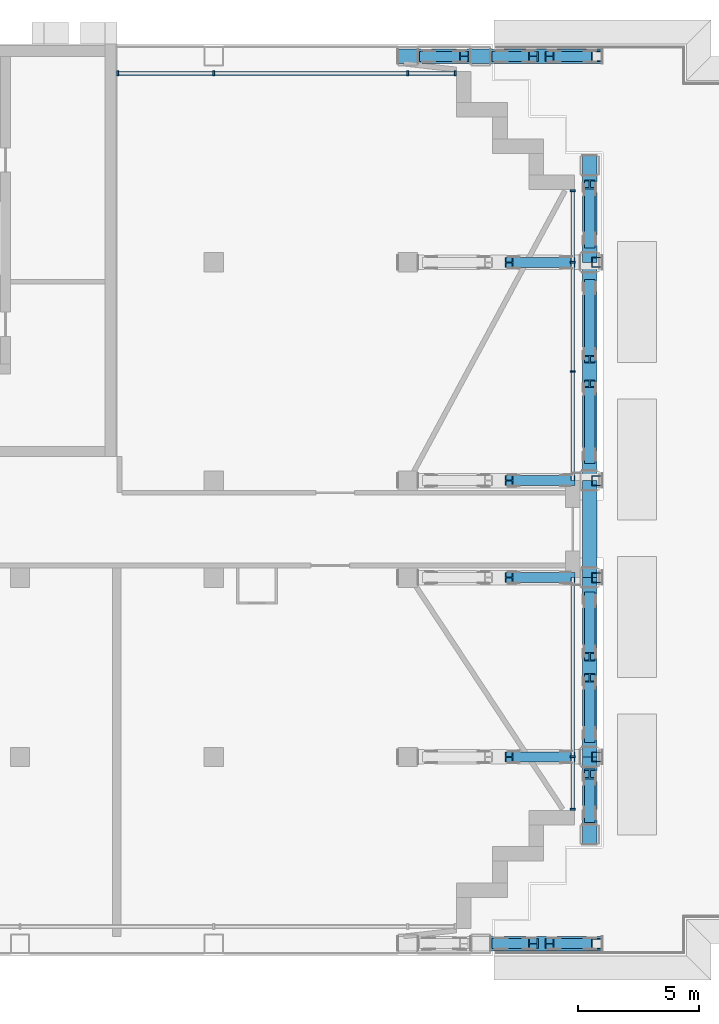
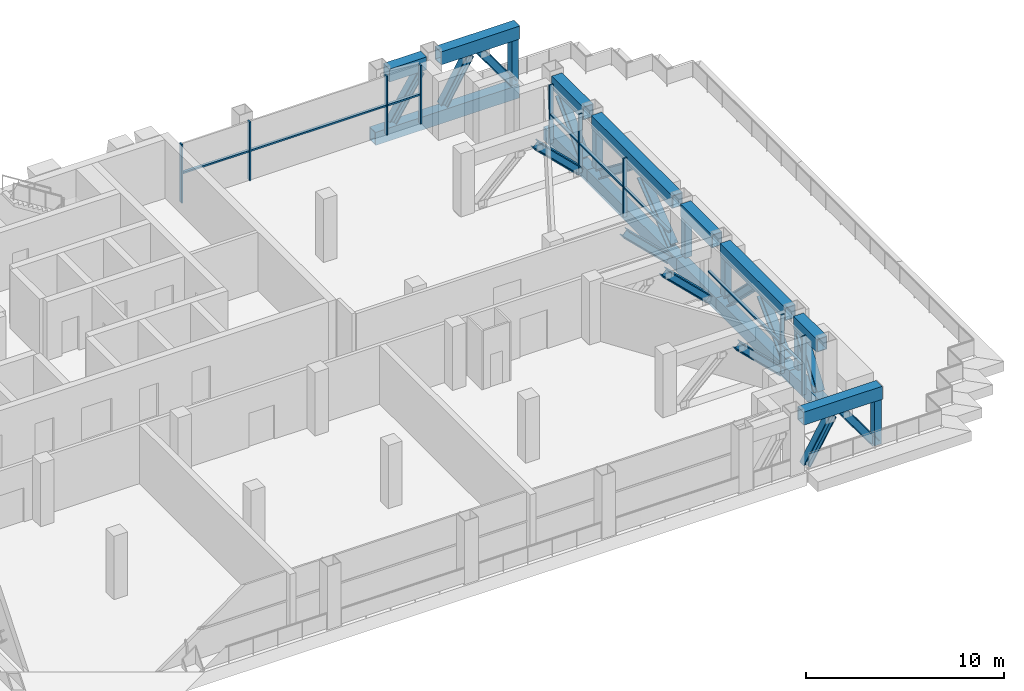
# One storey, part 6 of 25: 52 members, 3 elements without a shape of their own.
"""IFC4 building model written with IfcOpenShell, lengths in metres."""

from ifc_helpers import new_model, si_unit, direction, frame, origin, origin_2d, place, context, subcontext, project, spatial, rectangle, hollow_rectangle, i_section, extrude, material, material_profile, profile_set, type_object, element, aggregate, save


model = new_model("IFC4")

# Units and contexts
model_context = context("Model", 3, precision=1e-05, world=origin(), true_north=direction((0.0, 1.0)))
body_context = subcontext(model_context, "Body", "Model", "MODEL_VIEW")
ifc_project = project(units=[si_unit("LENGTHUNIT", "METRE"), si_unit("AREAUNIT", "SQUARE_METRE"), si_unit("VOLUMEUNIT", "CUBIC_METRE"), si_unit("PLANEANGLEUNIT", "RADIAN"), si_unit("MASSUNIT", "GRAM", prefix="KILO")], contexts=[model_context])

# Site, building, storey
site_placement = place(None, origin())
site = spatial("IfcSite", under=ifc_project, at=site_placement, CompositionType="ELEMENT")
building_placement = place(site_placement, origin())
building = spatial("IfcBuilding", under=site, at=building_placement, Name="Vidyagriha Tower", CompositionType="ELEMENT")
storey_placement = place(building_placement, frame((0.0, 0.0, 115.89990234375)))
storey = spatial("IfcBuildingStorey", under=building, at=storey_placement, Name="L29", CompositionType="ELEMENT", Elevation=115.89990234375)

# Members
ifc_material_1 = material(Name="Steel ASTM A572 Grade 50", Category="steel")
ifc_material_profile_1 = material_profile(ifc_material_1, hollow_rectangle(XDim=0.60009765625, YDim=0.800048828125, WallThickness=0.034912109375, at=origin_2d()), Name="BOX 800x600x35")
ifc_profile_set_1 = profile_set([ifc_material_profile_1], Name="Steel ASTM A572 Grade 50")
member_type_1 = type_object("IfcMemberType", Name="Belt truss chord BOX 800x600x35", PredefinedType="CHORD", material=ifc_profile_set_1)
member_1_placement = place(storey_placement, frame((33.5, -13.0, -0.39990234375), z_axis=(0.0, 1.0, 0.0), x_axis=(-1.0, 0.0, 0.0)))
element("IfcMember", 1, at=member_1_placement, inside=storey, type_object=member_type_1, Name="st-truss-L29-B11-B00", PredefinedType="CHORD", context=body_context, shape_type="SweptSolid", body=[
    extrude(hollow_rectangle(XDim=0.60009765625, YDim=0.800048828125, WallThickness=0.034912109375, at=origin_2d()), origin(), (0.0, 0.0, 1.0), 3.60009765625),
])
member_2_placement = place(storey_placement, frame((33.5, -12.180419921875, 3.22021484375), z_axis=(0.0, 1.0, 0.0), x_axis=(-1.0, 0.0, 0.0)))
element("IfcMember", 2, at=member_2_placement, inside=storey, type_object=member_type_1, Name="st-truss-L29-B11-T00", PredefinedType="CHORD", context=body_context, shape_type="SweptSolid", body=[
    extrude(hollow_rectangle(XDim=0.60009765625, YDim=0.800048828125, WallThickness=0.034912109375, at=origin_2d()), origin(), (0.0, 0.0, 1.0), 2.36083984375),
])
member_3_placement = place(storey_placement, frame((33.5, -9.39990234375, -0.39990234375), z_axis=(0.0, 1.0, 0.0), x_axis=(-1.0, 0.0, 0.0)))
element("IfcMember", 3, at=member_3_placement, inside=storey, type_object=member_type_1, Name="st-truss-L29-B11-B01", PredefinedType="CHORD", context=body_context, shape_type="SweptSolid", body=[
    extrude(hollow_rectangle(XDim=0.60009765625, YDim=0.800048828125, WallThickness=0.034912109375, at=origin_2d()), origin(), (0.0, 0.0, 1.0), 7.39990234375),
])
member_4_placement = place(storey_placement, frame((33.5, -8.98046875, 3.22021484375), z_axis=(0.0, 1.0, 0.0), x_axis=(-1.0, 0.0, 0.0)))
element("IfcMember", 4, at=member_4_placement, inside=storey, type_object=member_type_1, Name="st-truss-L29-B11-T01", PredefinedType="CHORD", context=body_context, shape_type="SweptSolid", body=[
    extrude(hollow_rectangle(XDim=0.60009765625, YDim=0.800048828125, WallThickness=0.034912109375, at=origin_2d()), origin(), (0.0, 0.0, 1.0), 6.56103515625),
])
member_5_placement = place(storey_placement, frame((33.5, -2.0, -0.39990234375), z_axis=(0.0, 1.0, 0.0), x_axis=(-1.0, 0.0, 0.0)))
element("IfcMember", 5, at=member_5_placement, inside=storey, type_object=member_type_1, Name="st-truss-L29-B11-B02", PredefinedType="CHORD", context=body_context, shape_type="SweptSolid", body=[
    extrude(hollow_rectangle(XDim=0.60009765625, YDim=0.800048828125, WallThickness=0.034912109375, at=origin_2d()), origin(), (0.0, 0.0, 1.0), 4.0),
])
member_6_placement = place(storey_placement, frame((33.5, -1.58056640625, 3.22021484375), z_axis=(0.0, 1.0, 0.0), x_axis=(-1.0, 0.0, 0.0)))
element("IfcMember", 6, at=member_6_placement, inside=storey, type_object=member_type_1, Name="st-truss-L29-B11-T02", PredefinedType="CHORD", context=body_context, shape_type="SweptSolid", body=[
    extrude(hollow_rectangle(XDim=0.60009765625, YDim=0.800048828125, WallThickness=0.034912109375, at=origin_2d()), origin(), (0.0, 0.0, 1.0), 3.1611328125),
])
member_7_placement = place(storey_placement, frame((33.5, 2.0, -0.39990234375), z_axis=(0.0, 1.0, 0.0), x_axis=(-1.0, 0.0, 0.0)))
element("IfcMember", 7, at=member_7_placement, inside=storey, type_object=member_type_1, Name="st-truss-L29-B11-B03", PredefinedType="CHORD", context=body_context, shape_type="SweptSolid", body=[
    extrude(hollow_rectangle(XDim=0.60009765625, YDim=0.800048828125, WallThickness=0.034912109375, at=origin_2d()), origin(), (0.0, 0.0, 1.0), 9.0),
])
member_8_placement = place(storey_placement, frame((33.5, 2.41943359375, 3.22021484375), z_axis=(0.0, 1.0, 0.0), x_axis=(-1.0, 0.0, 0.0)))
element("IfcMember", 8, at=member_8_placement, inside=storey, type_object=member_type_1, Name="st-truss-L29-B11-T03", PredefinedType="CHORD", context=body_context, shape_type="SweptSolid", body=[
    extrude(hollow_rectangle(XDim=0.60009765625, YDim=0.800048828125, WallThickness=0.034912109375, at=origin_2d()), origin(), (0.0, 0.0, 1.0), 8.1611328125),
])
member_9_placement = place(storey_placement, frame((33.5, 11.0, -0.39990234375), z_axis=(0.0, 1.0, 0.0), x_axis=(-1.0, 0.0, 0.0)))
element("IfcMember", 9, at=member_9_placement, inside=storey, type_object=member_type_1, Name="st-truss-L29-B11-B04", PredefinedType="CHORD", context=body_context, shape_type="SweptSolid", body=[
    extrude(hollow_rectangle(XDim=0.60009765625, YDim=0.800048828125, WallThickness=0.034912109375, at=origin_2d()), origin(), (0.0, 0.0, 1.0), 4.39990234375),
])
member_10_placement = place(storey_placement, frame((33.5, 11.41943359375, 3.22021484375), z_axis=(0.0, 1.0, 0.0), x_axis=(-1.0, 0.0, 0.0)))
element("IfcMember", 10, at=member_10_placement, inside=storey, type_object=member_type_1, Name="st-truss-L29-B11-T04", PredefinedType="CHORD", context=body_context, shape_type="SweptSolid", body=[
    extrude(hollow_rectangle(XDim=0.60009765625, YDim=0.800048828125, WallThickness=0.034912109375, at=origin_2d()), origin(), (0.0, 0.0, 1.0), 3.1611328125),
])
ifc_material_2 = material(Name="Steel ASTM A913 Grade 65", Category="steel")
ifc_material_profile_2 = material_profile(ifc_material_2, i_section(OverallWidth=0.43701171875, OverallDepth=0.51318359375, WebThickness=0.046142578125, FlangeThickness=0.071533203125, at=origin_2d()), Name="W14X550")
ifc_profile_set_2 = profile_set([ifc_material_profile_2], Name="Steel ASTM A913 Grade 65")
member_type_2 = type_object("IfcMemberType", Name="Belt truss diagonal W14X550", PredefinedType="BRACE", material=ifc_profile_set_2)
member_11_placement = place(storey_placement, frame((33.5, -11.894775390625, 0.1484375), z_axis=(0.0, 0.578509937621, 0.815675334967), x_axis=(-1.0, 0.0, 0.0)))
element("IfcMember", 11, at=member_11_placement, inside=storey, type_object=member_type_2, Name="st-truss-L29-B11-D000", PredefinedType="BRACE", context=body_context, shape_type="SweptSolid", body=[
    extrude(i_section(OverallWidth=0.43701171875, OverallDepth=0.51318359375, WebThickness=0.046142578125, FlangeThickness=0.071533203125, at=origin_2d()), origin(), (0.0, 0.0, 1.0), 3.09326171875),
])
for number, where, z_axis, x_axis, name in (
    (12, (33.5, -8.61572265625, 0.182373046875), (0.0, 0.710838505182, 0.703355258423), (-1.0, 0.0, 0.0), "st-truss-L29-B11-D010"),
    (13, (33.5, -5.265625, 2.6376953125), (0.0, 0.710838505182, -0.703355258423), (-1.0, 0.0, 0.0), "st-truss-L29-B11-D011"),
):
    element("IfcMember", number, at=place(storey_placement, frame(where, z_axis=z_axis, x_axis=x_axis)), inside=storey, type_object=member_type_2, Name=name, PredefinedType="BRACE", context=body_context, shape_type="SweptSolid", body=[
        extrude(i_section(OverallWidth=0.43701171875, OverallDepth=0.51318359375, WebThickness=0.046142578125, FlangeThickness=0.071533203125, at=origin_2d()), origin(), (0.0, 0.0, 1.0), 3.490966796875),
    ])
for number, where, z_axis, x_axis, name in (
    (14, (33.5, 2.86279296875, 0.203125), (0.0, 0.791325794346, 0.611394706555), (-1.0, 0.0, 0.0), "st-truss-L29-B11-D030"),
    (15, (33.5, 7.0126953125, 2.6171875), (0.0, 0.791325794346, -0.611394706555), (-1.0, 0.0, 0.0), "st-truss-L29-B11-D031"),
):
    element("IfcMember", number, at=place(storey_placement, frame(where, z_axis=z_axis, x_axis=x_axis)), inside=storey, type_object=member_type_2, Name=name, PredefinedType="BRACE", context=body_context, shape_type="SweptSolid", body=[
        extrude(i_section(OverallWidth=0.43701171875, OverallDepth=0.51318359375, WebThickness=0.046142578125, FlangeThickness=0.071533203125, at=origin_2d()), origin(), (0.0, 0.0, 1.0), 3.948486328125),
    ])
member_12_placement = place(storey_placement, frame((33.5, 11.779541015625, 0.180908203125), z_axis=(0.0, 0.704565287754, 0.709639172603), x_axis=(-1.0, 0.0, 0.0)))
element("IfcMember", 16, at=member_12_placement, inside=storey, type_object=member_type_2, Name="st-truss-L29-B11-D040", PredefinedType="BRACE", context=body_context, shape_type="SweptSolid", body=[
    extrude(i_section(OverallWidth=0.43701171875, OverallDepth=0.51318359375, WebThickness=0.046142578125, FlangeThickness=0.071533203125, at=origin_2d()), origin(), (0.0, 0.0, 1.0), 3.46435546875),
])

# Curtain wall, members
ifc_material_3 = material(Name="Aluminium and glass curtain wall", Category="aluminium")
curtain_wall_type = type_object("IfcCurtainWallType", Name="Plant louvre wall", PredefinedType="USERDEFINED", material=ifc_material_3)
curtain_wall_1_placement = place(storey_placement, origin())
curtain_wall_1 = element("IfcCurtainWall", 17, at=curtain_wall_1_placement, inside=storey, type_object=curtain_wall_type, Name="CW7 plant louvre wall", ObjectType="STICK GLAZING", PredefinedType="USERDEFINED")
ifc_material_4 = material(Name="Aluminium black anodised", Category="aluminium")
ifc_material_profile_3 = material_profile(ifc_material_4, rectangle(XDim=0.219970703125, YDim=0.080078125, at=origin_2d()), Name="Mullion 80x220 black aluminium")
ifc_profile_set_3 = profile_set([ifc_material_profile_3], Name="Aluminium black anodised")
member_type_3 = type_object("IfcMemberType", Name="Mullion 80x220 black aluminium", PredefinedType="MULLION", material=ifc_profile_set_3)
member_13_placement = place(storey_placement, frame((27.9599609375, 18.800048828125, 0.0), z_axis=(0.0, 0.0, 1.0), x_axis=(0.0, -1.0, 0.0)))
member_13 = element("IfcMember", 18, at=member_13_placement, type_object=member_type_3, Name="CW7 mullion 1", PredefinedType="MULLION", context=body_context, shape_type="SweptSolid", body=[
    extrude(rectangle(XDim=0.219970703125, YDim=0.080078125, at=origin_2d()), origin(), (0.0, 0.0, 1.0), 3.6201171875),
])
member_14_placement = place(storey_placement, frame((26.0, 18.800048828125, 0.0), z_axis=(0.0, 0.0, 1.0), x_axis=(0.0, -1.0, 0.0)))
member_14 = element("IfcMember", 19, at=member_14_placement, type_object=member_type_3, Name="CW7 mullion 2", PredefinedType="MULLION", context=body_context, shape_type="SweptSolid", body=[
    extrude(rectangle(XDim=0.219970703125, YDim=0.080078125, at=origin_2d()), origin(), (0.0, 0.0, 1.0), 3.6201171875),
])
member_15_placement = place(storey_placement, frame((18.0, 18.800048828125, 0.0), z_axis=(0.0, 0.0, 1.0), x_axis=(0.0, -1.0, 0.0)))
member_15 = element("IfcMember", 20, at=member_15_placement, type_object=member_type_3, Name="CW7 mullion 3", PredefinedType="MULLION", context=body_context, shape_type="SweptSolid", body=[
    extrude(rectangle(XDim=0.219970703125, YDim=0.080078125, at=origin_2d()), origin(), (0.0, 0.0, 1.0), 3.6201171875),
])
member_16_placement = place(storey_placement, frame((14.0400390625, 18.800048828125, 0.0), z_axis=(0.0, 0.0, 1.0), x_axis=(0.0, -1.0, 0.0)))
member_16 = element("IfcMember", 21, at=member_16_placement, type_object=member_type_3, Name="CW7 mullion 4", PredefinedType="MULLION", context=body_context, shape_type="SweptSolid", body=[
    extrude(rectangle(XDim=0.219970703125, YDim=0.080078125, at=origin_2d()), origin(), (0.0, 0.0, 1.0), 3.6201171875),
])

curtain_wall_2_placement = place(storey_placement, origin())
curtain_wall_2 = element("IfcCurtainWall", 22, at=curtain_wall_2_placement, inside=storey, type_object=curtain_wall_type, Name="CW7 plant louvre wall", ObjectType="STICK GLAZING", PredefinedType="USERDEFINED")
member_17_placement = place(storey_placement, frame((32.800048828125, -11.56005859375, 0.0), z_axis=(0.0, 0.0, 1.0), x_axis=(-1.0, 0.0, 0.0)))
member_17 = element("IfcMember", 23, at=member_17_placement, type_object=member_type_3, Name="CW7 mullion 1", PredefinedType="MULLION", context=body_context, shape_type="SweptSolid", body=[
    extrude(rectangle(XDim=0.219970703125, YDim=0.080078125, at=origin_2d()), origin(), (0.0, 0.0, 1.0), 3.6201171875),
])
member_18_placement = place(storey_placement, frame((32.800048828125, -9.39990234375, 0.0), z_axis=(0.0, 0.0, 1.0), x_axis=(-1.0, 0.0, 0.0)))
member_18 = element("IfcMember", 24, at=member_18_placement, type_object=member_type_3, Name="CW7 mullion 2", PredefinedType="MULLION", context=body_context, shape_type="SweptSolid", body=[
    extrude(rectangle(XDim=0.219970703125, YDim=0.080078125, at=origin_2d()), origin(), (0.0, 0.0, 1.0), 3.6201171875),
])

curtain_wall_3_placement = place(storey_placement, origin())
curtain_wall_3 = element("IfcCurtainWall", 25, at=curtain_wall_3_placement, inside=storey, type_object=curtain_wall_type, Name="CW7 plant louvre wall", ObjectType="STICK GLAZING", PredefinedType="USERDEFINED")
member_19_placement = place(storey_placement, frame((32.800048828125, 6.5, 0.0), z_axis=(0.0, 0.0, 1.0), x_axis=(-1.0, 0.0, 0.0)))
member_19 = element("IfcMember", 26, at=member_19_placement, type_object=member_type_3, Name="CW7 mullion 2", PredefinedType="MULLION", context=body_context, shape_type="SweptSolid", body=[
    extrude(rectangle(XDim=0.219970703125, YDim=0.080078125, at=origin_2d()), origin(), (0.0, 0.0, 1.0), 3.6201171875),
])
member_20_placement = place(storey_placement, frame((32.800048828125, 11.0, 0.0), z_axis=(0.0, 0.0, 1.0), x_axis=(-1.0, 0.0, 0.0)))
member_20 = element("IfcMember", 27, at=member_20_placement, type_object=member_type_3, Name="CW7 mullion 3", PredefinedType="MULLION", context=body_context, shape_type="SweptSolid", body=[
    extrude(rectangle(XDim=0.219970703125, YDim=0.080078125, at=origin_2d()), origin(), (0.0, 0.0, 1.0), 3.6201171875),
])
member_21_placement = place(storey_placement, frame((32.800048828125, 13.9599609375, 0.0), z_axis=(0.0, 0.0, 1.0), x_axis=(-1.0, 0.0, 0.0)))
member_21 = element("IfcMember", 28, at=member_21_placement, type_object=member_type_3, Name="CW7 mullion 4", PredefinedType="MULLION", context=body_context, shape_type="SweptSolid", body=[
    extrude(rectangle(XDim=0.219970703125, YDim=0.080078125, at=origin_2d()), origin(), (0.0, 0.0, 1.0), 3.6201171875),
])

# Members
ifc_material_5 = material(Name="Steel ASTM A572 Grade 50", Category="steel")
ifc_material_profile_4 = material_profile(ifc_material_5, hollow_rectangle(XDim=0.60009765625, YDim=0.800048828125, WallThickness=0.034912109375, at=origin_2d()), Name="BOX 800x600x35")
ifc_profile_set_4 = profile_set([ifc_material_profile_4], Name="Steel ASTM A572 Grade 50")
member_type_4 = type_object("IfcMemberType", Name="Transfer truss chord BOX 800x600x35", PredefinedType="CHORD", material=ifc_profile_set_4)
member_22_placement = place(storey_placement, frame((29.41943359375, -17.10009765625, 3.22021484375), z_axis=(1.0, 0.0, 0.0), x_axis=(0.0, 1.0, 0.0)))
element("IfcMember", 29, at=member_22_placement, inside=storey, type_object=member_type_4, Name="st-truss-L29-T00-T01", PredefinedType="CHORD", context=body_context, shape_type="SweptSolid", body=[
    extrude(hollow_rectangle(XDim=0.60009765625, YDim=0.800048828125, WallThickness=0.034912109375, at=origin_2d()), origin(), (0.0, 0.0, 1.0), 4.58056640625),
])
member_23_placement = place(storey_placement, frame((25.60009765625, 19.5, -0.39990234375), z_axis=(1.0, 0.0, 0.0), x_axis=(0.0, 1.0, 0.0)))
element("IfcMember", 30, at=member_23_placement, inside=storey, type_object=member_type_4, Name="st-truss-L29-T08-B00", PredefinedType="CHORD", context=body_context, shape_type="SweptSolid", body=[
    extrude(hollow_rectangle(XDim=0.60009765625, YDim=0.800048828125, WallThickness=0.034912109375, at=origin_2d()), origin(), (0.0, 0.0, 1.0), 8.39990234375),
])
member_24_placement = place(storey_placement, frame((26.41943359375, 19.5, 3.22021484375), z_axis=(1.0, 0.0, 0.0), x_axis=(0.0, 1.0, 0.0)))
element("IfcMember", 31, at=member_24_placement, inside=storey, type_object=member_type_4, Name="st-truss-L29-T08-T00", PredefinedType="CHORD", context=body_context, shape_type="SweptSolid", body=[
    extrude(hollow_rectangle(XDim=0.60009765625, YDim=0.800048828125, WallThickness=0.034912109375, at=origin_2d()), origin(), (0.0, 0.0, 1.0), 2.1611328125),
])
member_25_placement = place(storey_placement, frame((29.41943359375, 19.5, 3.22021484375), z_axis=(1.0, 0.0, 0.0), x_axis=(0.0, 1.0, 0.0)))
element("IfcMember", 32, at=member_25_placement, inside=storey, type_object=member_type_4, Name="st-truss-L29-T08-T01", PredefinedType="CHORD", context=body_context, shape_type="SweptSolid", body=[
    extrude(hollow_rectangle(XDim=0.60009765625, YDim=0.800048828125, WallThickness=0.034912109375, at=origin_2d()), origin(), (0.0, 0.0, 1.0), 4.58056640625),
])
ifc_material_6 = material(Name="Steel ASTM A913 Grade 65", Category="steel")
ifc_material_profile_5 = material_profile(ifc_material_6, i_section(OverallWidth=0.421630859375, OverallDepth=0.46484375, WebThickness=0.030029296875, FlangeThickness=0.052978515625, at=origin_2d()), Name="W14X398")
ifc_profile_set_5 = profile_set([ifc_material_profile_5], Name="Steel ASTM A913 Grade 65")
member_type_5 = type_object("IfcMemberType", Name="Transfer truss diagonal W14X398", PredefinedType="BRACE", material=ifc_profile_set_5)
member_26_placement = place(storey_placement, frame((29.668701171875, -17.10009765625, 0.117431640625), z_axis=(0.505031126875, 0.0, 0.863101130162), x_axis=(0.0, 1.0, 0.0)))
element("IfcMember", 33, at=member_26_placement, inside=storey, type_object=member_type_5, Name="st-truss-L29-T00-D010", PredefinedType="BRACE", context=body_context, shape_type="SweptSolid", body=[
    extrude(i_section(OverallWidth=0.421630859375, OverallDepth=0.46484375, WebThickness=0.030029296875, FlangeThickness=0.052978515625, at=origin_2d()), origin(), (0.0, 0.0, 1.0), 2.995361328125),
])
member_27_placement = place(storey_placement, frame((31.849365234375, -17.10009765625, 2.683349609375), z_axis=(0.588010312217, 0.0, -0.808853430929), x_axis=(0.0, 1.0, 0.0)))
element("IfcMember", 34, at=member_27_placement, inside=storey, type_object=member_type_5, Name="st-truss-L29-T00-D011", PredefinedType="BRACE", context=body_context, shape_type="SweptSolid", body=[
    extrude(i_section(OverallWidth=0.421630859375, OverallDepth=0.46484375, WebThickness=0.030029296875, FlangeThickness=0.052978515625, at=origin_2d()), origin(), (0.0, 0.0, 1.0), 3.1484375),
])
for number, where, z_axis, x_axis, name in (
    (35, (30.17138671875, -9.39990234375, 2.653564453125), (0.716927451047, 0.0, -0.697147781992), (0.0, 1.0, 0.0), "st-truss-L29-T02-D001"),
    (36, (30.17138671875, -2.0, 2.653564453125), (0.716927451047, 0.0, -0.697147781992), (0.0, 1.0, 0.0), "st-truss-L29-T04-D001"),
    (37, (30.17138671875, 2.0, 2.653564453125), (0.716927451047, 0.0, -0.697147781992), (0.0, 1.0, 0.0), "st-truss-L29-T06-D001"),
    (38, (30.17138671875, 11.0, 2.653564453125), (0.716927451047, 0.0, -0.697147781992), (0.0, 1.0, 0.0), "st-truss-L29-T07-D001"),
):
    element("IfcMember", number, at=place(storey_placement, frame(where, z_axis=z_axis, x_axis=x_axis)), inside=storey, type_object=member_type_5, Name=name, PredefinedType="BRACE", context=body_context, shape_type="SweptSolid", body=[
        extrude(i_section(OverallWidth=0.421630859375, OverallDepth=0.46484375, WebThickness=0.030029296875, FlangeThickness=0.052978515625, at=origin_2d()), origin(), (0.0, 0.0, 1.0), 3.567138671875),
    ])
member_28_placement = place(storey_placement, frame((26.6796875, 19.5, 0.125244140625), z_axis=(0.538108083029, 0.0, 0.84287584553), x_axis=(0.0, 1.0, 0.0)))
element("IfcMember", 39, at=member_28_placement, inside=storey, type_object=member_type_5, Name="st-truss-L29-T08-D000", PredefinedType="BRACE", context=body_context, shape_type="SweptSolid", body=[
    extrude(i_section(OverallWidth=0.421630859375, OverallDepth=0.46484375, WebThickness=0.030029296875, FlangeThickness=0.052978515625, at=origin_2d()), origin(), (0.0, 0.0, 1.0), 3.048828125),
])
member_29_placement = place(storey_placement, frame((29.668701171875, 19.5, 0.117431640625), z_axis=(0.505031126875, 0.0, 0.863101130162), x_axis=(0.0, 1.0, 0.0)))
element("IfcMember", 40, at=member_29_placement, inside=storey, type_object=member_type_5, Name="st-truss-L29-T08-D010", PredefinedType="BRACE", context=body_context, shape_type="SweptSolid", body=[
    extrude(i_section(OverallWidth=0.421630859375, OverallDepth=0.46484375, WebThickness=0.030029296875, FlangeThickness=0.052978515625, at=origin_2d()), origin(), (0.0, 0.0, 1.0), 2.995361328125),
])
member_30_placement = place(storey_placement, frame((31.849365234375, 19.5, 2.683349609375), z_axis=(0.588010312217, 0.0, -0.808853430929), x_axis=(0.0, 1.0, 0.0)))
element("IfcMember", 41, at=member_30_placement, inside=storey, type_object=member_type_5, Name="st-truss-L29-T08-D011", PredefinedType="BRACE", context=body_context, shape_type="SweptSolid", body=[
    extrude(i_section(OverallWidth=0.421630859375, OverallDepth=0.46484375, WebThickness=0.030029296875, FlangeThickness=0.052978515625, at=origin_2d()), origin(), (0.0, 0.0, 1.0), 3.1484375),
])
ifc_material_7 = material(Name="Steel ASTM A500 Grade C", Category="steel")
ifc_material_profile_6 = material_profile(ifc_material_7, hollow_rectangle(XDim=0.406494140625, YDim=0.406494140625, WallThickness=0.017822265625, at=origin_2d()), Name="HSS16X16X3/4")
ifc_profile_set_6 = profile_set([ifc_material_profile_6], Name="Steel ASTM A500 Grade C")
member_type_6 = type_object("IfcMemberType", Name="Transfer truss post HSS16X16X3/4", PredefinedType="POST", material=ifc_profile_set_6)
member_31_placement = place(storey_placement, frame((33.796875, -17.10009765625, 0.01953125)))
element("IfcMember", 42, at=member_31_placement, inside=storey, type_object=member_type_6, Name="st-truss-L29-T00-P02", PredefinedType="POST", context=body_context, shape_type="SweptSolid", body=[
    extrude(hollow_rectangle(XDim=0.406494140625, YDim=0.406494140625, WallThickness=0.017822265625, at=origin_2d()), origin(), (0.0, 0.0, 1.0), 2.781005859375),
])
for number, where, name in (
    (43, (33.796875, -9.39990234375, 0.0), "st-truss-L29-T02-P02"),
    (44, (33.796875, -2.0, 0.0), "st-truss-L29-T04-P02"),
    (45, (33.796875, 2.0, 0.0), "st-truss-L29-T06-P02"),
    (46, (33.796875, 11.0, 0.0), "st-truss-L29-T07-P02"),
):
    element("IfcMember", number, at=place(storey_placement, frame(where)), inside=storey, type_object=member_type_6, Name=name, PredefinedType="POST", context=body_context, shape_type="SweptSolid", body=[
        extrude(hollow_rectangle(XDim=0.406494140625, YDim=0.406494140625, WallThickness=0.017822265625, at=origin_2d()), origin(), (0.0, 0.0, 1.0), 2.820068359375),
    ])
member_32_placement = place(storey_placement, frame((33.796875, 19.5, 0.01953125)))
element("IfcMember", 47, at=member_32_placement, inside=storey, type_object=member_type_6, Name="st-truss-L29-T08-P02", PredefinedType="POST", context=body_context, shape_type="SweptSolid", body=[
    extrude(hollow_rectangle(XDim=0.406494140625, YDim=0.406494140625, WallThickness=0.017822265625, at=origin_2d()), origin(), (0.0, 0.0, 1.0), 2.781005859375),
])

# Member
ifc_material_8 = material(Name="Aluminium black anodised", Category="aluminium")
ifc_material_profile_7 = material_profile(ifc_material_8, rectangle(XDim=0.159912109375, YDim=0.10009765625, at=origin_2d()), Name="Transom 100x160 black aluminium")
ifc_profile_set_7 = profile_set([ifc_material_profile_7], Name="Aluminium black anodised")
member_type_7 = type_object("IfcMemberType", Name="Transom 100x160 black aluminium", PredefinedType="USERDEFINED", material=ifc_profile_set_7)
member_33_placement = place(storey_placement, frame((27.919921875, 18.800048828125, 1.81005859375), z_axis=(-1.0, 0.0, 0.0), x_axis=(0.0, -1.0, 0.0)))
member_33 = element("IfcMember", 48, at=member_33_placement, type_object=member_type_7, Name="CW7 transom 1.1", ObjectType="TRANSOM", PredefinedType="USERDEFINED", context=body_context, shape_type="SweptSolid", body=[
    extrude(rectangle(XDim=0.159912109375, YDim=0.10009765625, at=origin_2d()), origin(), (0.0, 0.0, 1.0), 1.8798828125),
])

member_34_placement = place(storey_placement, frame((25.9599609375, 18.800048828125, 1.81005859375), z_axis=(-1.0, 0.0, 0.0), x_axis=(0.0, -1.0, 0.0)))
member_34 = element("IfcMember", 49, at=member_34_placement, type_object=member_type_7, Name="CW7 transom 2.1", ObjectType="TRANSOM", PredefinedType="USERDEFINED", context=body_context, shape_type="SweptSolid", body=[
    extrude(rectangle(XDim=0.159912109375, YDim=0.10009765625, at=origin_2d()), origin(), (0.0, 0.0, 1.0), 7.919921875),
])

member_35_placement = place(storey_placement, frame((17.9599609375, 18.800048828125, 1.81005859375), z_axis=(-1.0, 0.0, 0.0), x_axis=(0.0, -1.0, 0.0)))
member_35 = element("IfcMember", 50, at=member_35_placement, type_object=member_type_7, Name="CW7 transom 3.1", ObjectType="TRANSOM", PredefinedType="USERDEFINED", context=body_context, shape_type="SweptSolid", body=[
    extrude(rectangle(XDim=0.159912109375, YDim=0.10009765625, at=origin_2d()), origin(), (0.0, 0.0, 1.0), 3.8798828125),
])

aggregate(curtain_wall_1, [member_13, member_14, member_15, member_16, member_33, member_34, member_35])

member_36_placement = place(storey_placement, frame((32.800048828125, -11.52001953125, 1.81005859375), z_axis=(0.0, 1.0, 0.0), x_axis=(-1.0, 0.0, 0.0)))
member_36 = element("IfcMember", 51, at=member_36_placement, type_object=member_type_7, Name="CW7 transom 1.1", ObjectType="TRANSOM", PredefinedType="USERDEFINED", context=body_context, shape_type="SweptSolid", body=[
    extrude(rectangle(XDim=0.159912109375, YDim=0.10009765625, at=origin_2d()), origin(), (0.0, 0.0, 1.0), 2.080078125),
])

member_37_placement = place(storey_placement, frame((32.800048828125, -9.360107421875, 1.81005859375), z_axis=(0.0, 1.0, 0.0), x_axis=(-1.0, 0.0, 0.0)))
member_37 = element("IfcMember", 52, at=member_37_placement, type_object=member_type_7, Name="CW7 transom 2.1", ObjectType="TRANSOM", PredefinedType="USERDEFINED", context=body_context, shape_type="SweptSolid", body=[
    extrude(rectangle(XDim=0.159912109375, YDim=0.10009765625, at=origin_2d()), origin(), (0.0, 0.0, 1.0), 7.360107421875),
])

aggregate(curtain_wall_2, [member_17, member_18, member_36, member_37])

member_38_placement = place(storey_placement, frame((32.800048828125, 2.0, 1.81005859375), z_axis=(0.0, 1.0, 0.0), x_axis=(-1.0, 0.0, 0.0)))
member_38 = element("IfcMember", 53, at=member_38_placement, type_object=member_type_7, Name="CW7 transom 1.1", ObjectType="TRANSOM", PredefinedType="USERDEFINED", context=body_context, shape_type="SweptSolid", body=[
    extrude(rectangle(XDim=0.159912109375, YDim=0.10009765625, at=origin_2d()), origin(), (0.0, 0.0, 1.0), 4.4599609375),
])

member_39_placement = place(storey_placement, frame((32.800048828125, 6.5400390625, 1.81005859375), z_axis=(0.0, 1.0, 0.0), x_axis=(-1.0, 0.0, 0.0)))
member_39 = element("IfcMember", 54, at=member_39_placement, type_object=member_type_7, Name="CW7 transom 2.1", ObjectType="TRANSOM", PredefinedType="USERDEFINED", context=body_context, shape_type="SweptSolid", body=[
    extrude(rectangle(XDim=0.159912109375, YDim=0.10009765625, at=origin_2d()), origin(), (0.0, 0.0, 1.0), 4.419921875),
])

member_40_placement = place(storey_placement, frame((32.800048828125, 11.0400390625, 1.81005859375), z_axis=(0.0, 1.0, 0.0), x_axis=(-1.0, 0.0, 0.0)))
member_40 = element("IfcMember", 55, at=member_40_placement, type_object=member_type_7, Name="CW7 transom 3.1", ObjectType="TRANSOM", PredefinedType="USERDEFINED", context=body_context, shape_type="SweptSolid", body=[
    extrude(rectangle(XDim=0.159912109375, YDim=0.10009765625, at=origin_2d()), origin(), (0.0, 0.0, 1.0), 2.8798828125),
])

aggregate(curtain_wall_3, [member_19, member_20, member_21, member_38, member_39, member_40])

save(model, "model.ifc")
